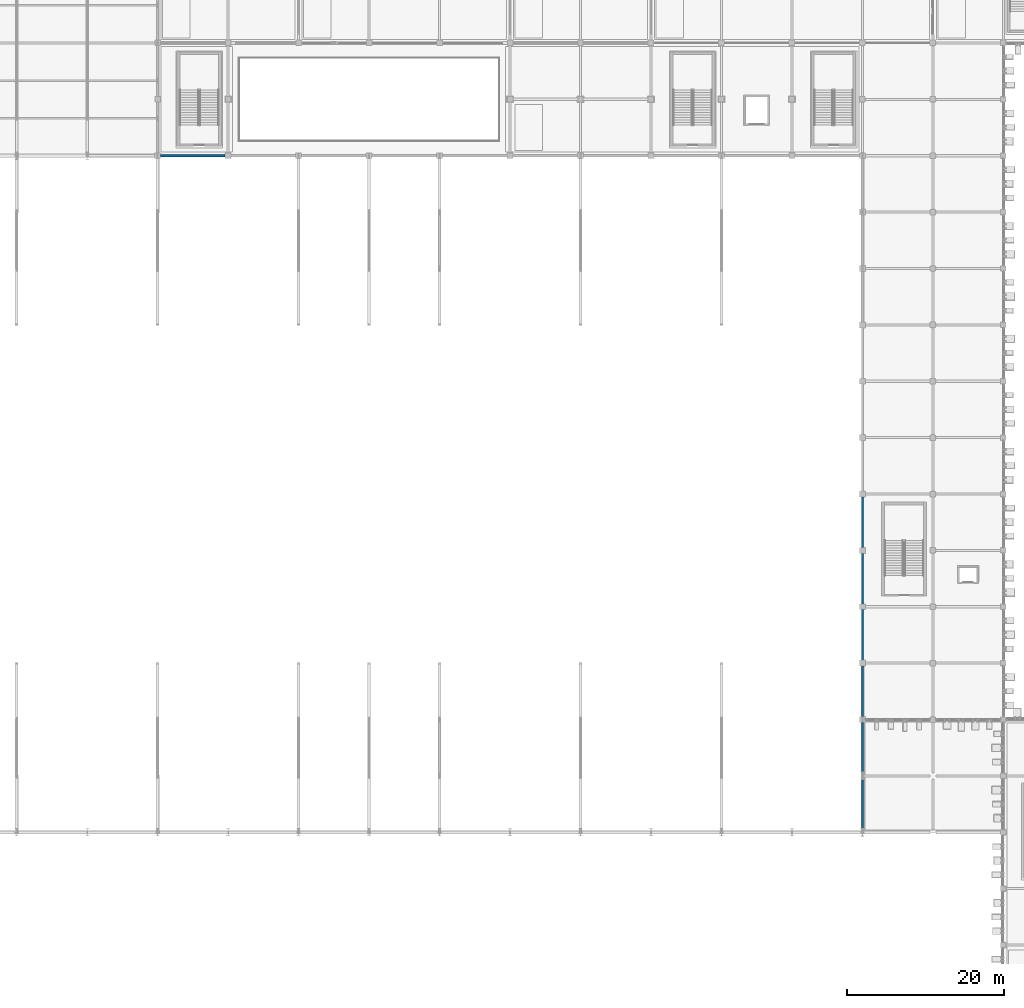
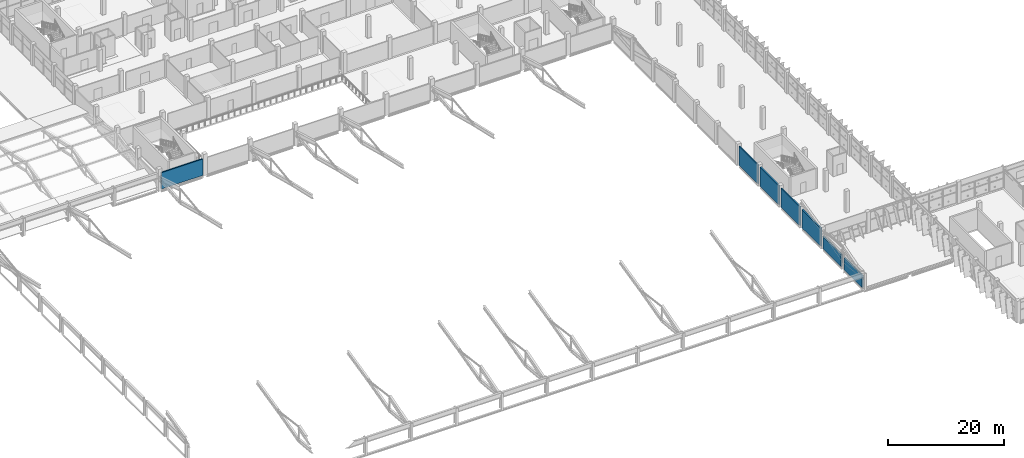
# One storey, part 109 of 151: 7 walls.
"""IFC4 building model written with IfcOpenShell, lengths in metres."""

import ifcopenshell
import ifcopenshell.guid

model = None  # the IFC model being written
_history = None  # IfcOwnerHistory: only IFC2X3 demands one
_inside = {}  # id of a spatial element -> (the spatial element, [elements in it])
_under = {}  # id of a project, library or spatial element -> (it, [spatial elements below it])
_declared = {}  # id of a project -> (the project, [libraries it declares])
_typed = {}  # id of a type object -> (the type object, [elements of that type])
_made_of = {}  # id of a material, layer set ... -> (it, [elements and type objects made of it])


def new_model(schema):
    """Start an empty IFC model of exactly this schema.

    Asked for "IFC4X3", IfcOpenShell would pick the latest addendum, in which some entities
    have other attributes; the version numbers below select the first issue.
    IFC2X3 requires an IfcOwnerHistory on every rooted entity: one is made here for all.
    """
    global model, _history
    if schema == "IFC4X3":
        model = ifcopenshell.file(schema_version=(4, 3, 0, 0))
    else:
        model = ifcopenshell.file(schema=schema)
    _inside.clear()
    _under.clear()
    _declared.clear()
    _typed.clear()
    _made_of.clear()
    _history = None
    if model.schema == "IFC2X3":
        org = make("IfcOrganization", Name="unknown")
        user = make(
            "IfcPersonAndOrganization",
            ThePerson=make("IfcPerson", FamilyName="unknown"),
            TheOrganization=org,
        )
        app = make(
            "IfcApplication",
            ApplicationDeveloper=org,
            Version="unknown",
            ApplicationFullName="unknown",
            ApplicationIdentifier="unknown",
        )
        _history = make(
            "IfcOwnerHistory",
            OwningUser=user,
            OwningApplication=app,
            ChangeAction="ADDED",
            CreationDate=0,
        )
    return model


def make(cls, **values):
    """One entity of the class cls with the attributes given. An attribute that is None is left unset."""
    return model.create_entity(
        cls, **{name: value for name, value in values.items() if value is not None}
    )


def rooted(cls, **values):
    """An entity with a GlobalId (a new one), such as an element, a storey or a relation."""
    return make(cls, GlobalId=ifcopenshell.guid.new(), OwnerHistory=_history, **values)


def si_unit(unit_type, name, prefix=None):
    """IfcSIUnit, for example si_unit("LENGTHUNIT", "METRE", prefix="MILLI")."""
    return make("IfcSIUnit", UnitType=unit_type, Prefix=prefix, Name=name)


def assignment(units):
    """IfcUnitAssignment: the units of a project."""
    return None if units is None else make("IfcUnitAssignment", Units=units)


def point(xyz):
    """IfcCartesianPoint."""
    return None if xyz is None else make("IfcCartesianPoint", Coordinates=xyz)


def direction(xyz):
    """IfcDirection."""
    return None if xyz is None else make("IfcDirection", DirectionRatios=xyz)


def frame(location, z_axis=None, x_axis=None):
    """IfcAxis2Placement3D, a coordinate frame: its origin and axes. An axis left out is left unset."""
    return make(
        "IfcAxis2Placement3D",
        Location=point(location),
        Axis=direction(z_axis),
        RefDirection=direction(x_axis),
    )


def frame_2d(location, x_axis=None):
    """IfcAxis2Placement2D, a coordinate frame in the plane: its origin and x axis."""
    return make(
        "IfcAxis2Placement2D", Location=point(location), RefDirection=direction(x_axis)
    )


def origin():
    """The frame at (0, 0, 0) with its axes left unset."""
    return frame((0.0, 0.0, 0.0))


def place(relative_to, where):
    """IfcLocalPlacement: puts the frame where relative to a parent placement (None: the world)."""
    return make(
        "IfcLocalPlacement", PlacementRelTo=relative_to, RelativePlacement=where
    )


def context(
    kind, dimensions, precision=None, world=None, true_north=None, identifier=None
):
    """IfcGeometricRepresentationContext, for example the 3D "Model" context."""
    return make(
        "IfcGeometricRepresentationContext",
        ContextIdentifier=identifier,
        ContextType=kind,
        CoordinateSpaceDimension=dimensions,
        Precision=precision,
        WorldCoordinateSystem=world,
        TrueNorth=true_north,
    )


def subcontext(parent, identifier, kind, view, scale=None):
    """IfcGeometricRepresentationSubContext, for example "Body" below "Model"."""
    return make(
        "IfcGeometricRepresentationSubContext",
        ContextIdentifier=identifier,
        ContextType=kind,
        ParentContext=parent,
        TargetScale=scale,
        TargetView=view,
    )


def project(units=None, contexts=None):
    """IfcProject with its units and contexts."""
    return rooted(
        "IfcProject",
        Name="project",
        RepresentationContexts=contexts,
        UnitsInContext=assignment(units),
    )


def spatial(cls, under=None, at=None, **own):
    """A site, building, storey or space (cls), placed at a placement, below another one or the project."""
    s = rooted(cls, ObjectPlacement=at, **own)
    if under is not None:
        _under.setdefault(under.id(), (under, []))[1].append(s)
    return s


def profile(cls, at=None, kind="AREA", **sizes):
    """A parametric profile (cls). Its sizes go by their IFC names, for example OverallWidth=200.0."""
    return make(cls, ProfileType=kind, Position=at, **sizes)


def rectangle(**sizes):
    """IfcRectangleProfileDef."""
    return profile("IfcRectangleProfileDef", **sizes)


def extrude(swept, where, along, depth):
    """IfcExtrudedAreaSolid: the profile swept, set in the frame where, extruded along a direction by depth."""
    return make(
        "IfcExtrudedAreaSolid",
        SweptArea=swept,
        Position=where,
        ExtrudedDirection=direction(along),
        Depth=depth,
    )


def shape(context_of_items, identifier, shape_type, items):
    """IfcShapeRepresentation: the items that make up one representation, for example the "Body"."""
    return make(
        "IfcShapeRepresentation",
        ContextOfItems=context_of_items,
        RepresentationIdentifier=identifier,
        RepresentationType=shape_type,
        Items=items,
    )


def material(Name=None, Category=None):
    """IfcMaterial."""
    return make("IfcMaterial", Name=Name, Category=Category)


def layer(
    of_material, thickness, ventilated=None, Name=None, Category=None, Priority=None
):
    """IfcMaterialLayer: one layer of a wall or slab, of a material (None: an air gap)."""
    return make(
        "IfcMaterialLayer",
        Material=of_material,
        LayerThickness=thickness,
        IsVentilated=ventilated,
        Name=Name,
        Category=Category,
        Priority=Priority,
    )


def layer_set(layers, Name=None):
    """IfcMaterialLayerSet."""
    return make("IfcMaterialLayerSet", MaterialLayers=layers, LayerSetName=Name)


def made_of(thing, what):
    """Note that an element or type object is made of a material, layer set ...; save() writes the relation."""
    if what is not None:
        _made_of.setdefault(what.id(), (what, []))[1].append(thing)
    return thing


def type_object(cls, material=None, **own):
    """A type object (cls), such as IfcWallType, which elements share."""
    return made_of(rooted(cls, **own), material)


def element(
    cls,
    number,
    at=None,
    inside=None,
    cuts=None,
    type_object=None,
    material=None,
    context=None,
    identifier="Body",
    shape_type=None,
    held_by="IfcProductDefinitionShape",
    body=None,
    shapes=None,
    **own,
):
    """One element of the class cls, such as IfcWall. Its Tag is "e" and its number.

    at: its placement. inside: the storey or other place that contains it. cuts: it is an
    opening in that element (IfcRelVoidsElement). A single representation is given by context,
    identifier, shape_type and body (its items); several are given by shapes. held_by: the class
    of the entity that holds the representations. save() writes the other relations.
    """
    e = rooted(cls, Tag="e%d" % number, ObjectPlacement=at, **own)
    if body is not None:
        shapes = [shape(context, identifier, shape_type, body)]
    if shapes is not None:
        e.Representation = make(held_by, Representations=shapes)
    if inside is not None:
        _inside.setdefault(inside.id(), (inside, []))[1].append(e)
    if cuts is not None:
        rooted(
            "IfcRelVoidsElement", RelatingBuildingElement=cuts, RelatedOpeningElement=e
        )
    if type_object is not None:
        _typed.setdefault(type_object.id(), (type_object, []))[1].append(e)
    return made_of(e, material)


def aggregate(whole, parts):
    """IfcRelAggregates: a whole, such as a stair, and the parts it consists of."""
    return rooted("IfcRelAggregates", RelatingObject=whole, RelatedObjects=parts)


def save(model, path):
    """Write the relations noted so far, then the file.

    IfcRelAggregates (storeys below a building ...), IfcRelContainedInSpatialStructure (elements
    in a storey), IfcRelDefinesByType, IfcRelAssociatesMaterial and IfcRelDeclares: one each for
    every whole, place, type object, material and project.
    """
    for whole, parts in _under.values():
        aggregate(whole, parts)
    for where, things in _inside.values():
        rooted(
            "IfcRelContainedInSpatialStructure",
            RelatedElements=things,
            RelatingStructure=where,
        )
    for kind, things in _typed.values():
        rooted("IfcRelDefinesByType", RelatedObjects=things, RelatingType=kind)
    for what, things in _made_of.values():
        rooted("IfcRelAssociatesMaterial", RelatedObjects=things, RelatingMaterial=what)
    for by, libraries in _declared.values():
        rooted("IfcRelDeclares", RelatingContext=by, RelatedDefinitions=libraries)
    model.write(path)


model = new_model("IFC4")

# Units and contexts
model_context = context("Model", 3, precision=1e-05, world=origin(), true_north=direction((0.0, 1.0)))
body_context = subcontext(model_context, "Body", "Model", "MODEL_VIEW")
ifc_project = project(units=[si_unit("LENGTHUNIT", "METRE"), si_unit("AREAUNIT", "SQUARE_METRE"), si_unit("VOLUMEUNIT", "CUBIC_METRE"), si_unit("PLANEANGLEUNIT", "RADIAN"), si_unit("MASSUNIT", "GRAM", prefix="KILO")], contexts=[model_context])

# Site, building, storey
site_placement = place(None, origin())
site = spatial("IfcSite", under=ifc_project, at=site_placement, CompositionType="ELEMENT")
building_placement = place(site_placement, origin())
building = spatial("IfcBuilding", under=site, at=building_placement, Name="Celestram Park Convention Centre", CompositionType="ELEMENT")
storey_placement = place(building_placement, frame((0.0, 0.0, 10.800048828125)))
storey = spatial("IfcBuildingStorey", under=building, at=storey_placement, Name="L02", CompositionType="ELEMENT", Elevation=10.800048828125)

# Walls
ifc_material = material(Name="Precast Concrete C40/50", Category="concrete")
ifc_layer = layer(ifc_material, 0.260009765625)
ifc_layer_set = layer_set([ifc_layer], Name="Precast Concrete C40/50")
wall_type = type_object("IfcWallType", Name="ARC-WL-EXT260", PredefinedType="STANDARD", material=ifc_layer_set)
wall_1_placement = place(storey_placement, frame((126.0, 36.373046875, 0.0), z_axis=(0.0, 0.0, 1.0), x_axis=(0.0, 1.0, 0.0)))
element("IfcWall", 1, at=wall_1_placement, inside=storey, type_object=wall_type, Name="Acoustic hall overlook wall WL-L02-EW138", PredefinedType="STANDARD", context=body_context, shape_type="SweptSolid", body=[
    extrude(rectangle(XDim=6.453857421875, YDim=0.260009765625, at=frame_2d((3.22705078125, 0.0))), origin(), (0.0, 0.0, 1.0), 3.843994140625),
])
wall_2_placement = place(storey_placement, frame((126.0, 43.572998046875, 0.0), z_axis=(0.0, 0.0, 1.0), x_axis=(0.0, 1.0, 0.0)))
element("IfcWall", 2, at=wall_2_placement, inside=storey, type_object=wall_type, Name="Acoustic hall overlook wall WL-L02-EW139", PredefinedType="STANDARD", context=body_context, shape_type="SweptSolid", body=[
    extrude(rectangle(XDim=6.4541015625, YDim=0.260009765625, at=frame_2d((3.22705078125, 0.0))), origin(), (0.0, 0.0, 1.0), 3.949951171875),
])
for number, where, z_axis, x_axis, name in (
    (3, (126.0, 50.77294921875, 0.0), (0.0, 0.0, 1.0), (0.0, 1.0, 0.0), "Acoustic hall overlook wall WL-L02-EW140"),
    (4, (126.0, 57.972900390625, 0.0), (0.0, 0.0, 1.0), (0.0, 1.0, 0.0), "Acoustic hall overlook wall WL-L02-EW141"),
):
    element("IfcWall", number, at=place(storey_placement, frame(where, z_axis=z_axis, x_axis=x_axis)), inside=storey, type_object=wall_type, Name=name, PredefinedType="STANDARD", context=body_context, shape_type="SweptSolid", body=[
        extrude(rectangle(XDim=6.4541015625, YDim=0.260009765625, at=frame_2d((3.22705078125, 0.0))), origin(), (0.0, 0.0, 1.0), 4.0),
    ])
wall_3_placement = place(storey_placement, frame((44.626953125, 108.0, 0.0), z_axis=(0.0, 0.0, 1.0), x_axis=(-1.0, 0.0, 0.0)))
element("IfcWall", 5, at=wall_3_placement, inside=storey, type_object=wall_type, Name="Acoustic hall overlook wall WL-L02-EW157", PredefinedType="STANDARD", context=body_context, shape_type="SweptSolid", body=[
    extrude(rectangle(XDim=8.25390625, YDim=0.260009765625, at=frame_2d((4.126953125, 0.0))), origin(), (0.0, 0.0, 1.0), 3.43994140625),
])
wall_4_placement = place(storey_placement, frame((126.0, 35.626953125, 0.0), z_axis=(0.0, 0.0, 1.0), x_axis=(0.0, -1.0, 0.0)))
element("IfcWall", 6, at=wall_4_placement, inside=storey, type_object=wall_type, Name="Acoustic hall overlook wall WL-L02-EW167", PredefinedType="STANDARD", context=body_context, shape_type="SweptSolid", body=[
    extrude(rectangle(XDim=6.323486328125, YDim=0.260009765625, at=frame_2d((3.16162109375, 0.0))), origin(), (0.0, 0.0, 1.0), 2.5888671875),
])
wall_5_placement = place(storey_placement, frame((126.0, 28.29638671875, 0.0), z_axis=(0.0, 0.0, 1.0), x_axis=(0.0, -1.0, 0.0)))
element("IfcWall", 7, at=wall_5_placement, inside=storey, type_object=wall_type, Name="Acoustic hall overlook wall WL-L02-EW168", PredefinedType="STANDARD", context=body_context, shape_type="SweptSolid", body=[
    extrude(rectangle(XDim=6.19287109375, YDim=0.260009765625, at=frame_2d((3.096435546875, 0.0))), origin(), (0.0, 0.0, 1.0), 2.5888671875),
])

save(model, "model.ifc")
